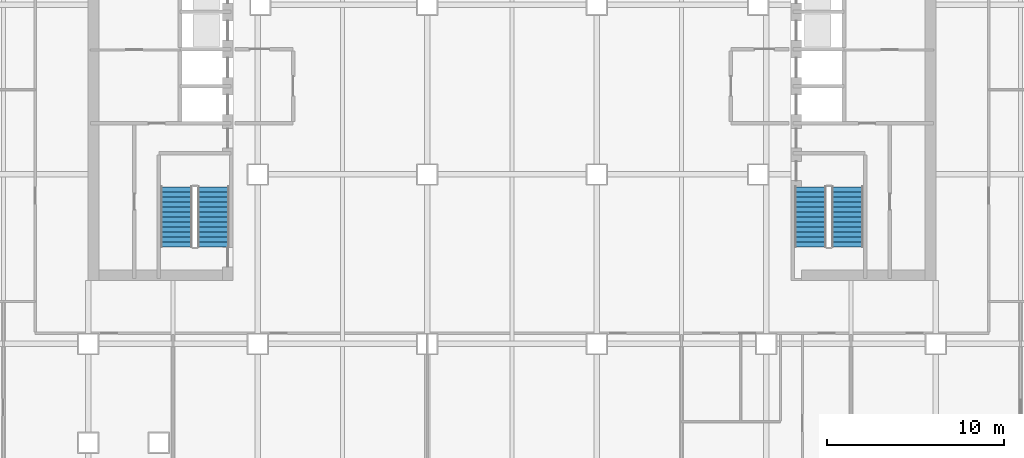
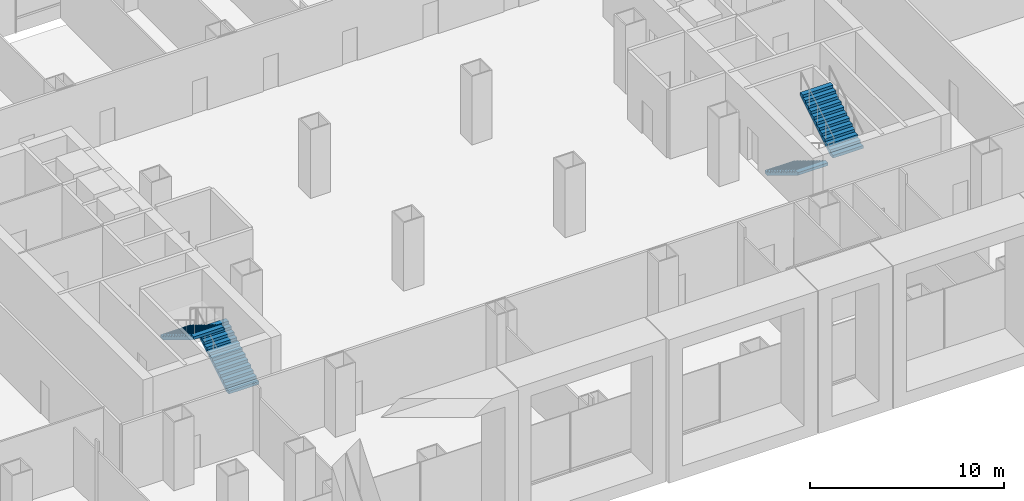
# One storey, part 19 of 23: 4 stair flights, 2 elements without a shape of their own.
"""IFC4 building model written with IfcOpenShell, lengths in metres."""

from ifc_helpers import new_model, si_unit, direction, frame, origin, place, context, subcontext, project, spatial, polyline, outline, extrude, material, type_object, element, aggregate, save


model = new_model("IFC4")

# Units and contexts
model_context = context("Model", 3, precision=1e-05, world=origin(), true_north=direction((0.0, 1.0)))
body_context = subcontext(model_context, "Body", "Model", "MODEL_VIEW")
ifc_project = project(units=[si_unit("LENGTHUNIT", "METRE"), si_unit("AREAUNIT", "SQUARE_METRE"), si_unit("VOLUMEUNIT", "CUBIC_METRE"), si_unit("PLANEANGLEUNIT", "RADIAN"), si_unit("MASSUNIT", "GRAM", prefix="KILO")], contexts=[model_context])

# Site, building, storey
site_placement = place(None, origin())
site = spatial("IfcSite", under=ifc_project, at=site_placement, CompositionType="ELEMENT")
building_placement = place(site_placement, origin())
building = spatial("IfcBuilding", under=site, at=building_placement, Name="Cobrizo Arcos Hotel Tower", CompositionType="ELEMENT")
storey_placement = place(building_placement, frame((0.0, 0.0, 15.5)))
storey = spatial("IfcBuildingStorey", under=building, at=storey_placement, Name="L02", CompositionType="ELEMENT", Elevation=15.5)

# Stair, stair flights
ifc_material = material(Name="Concrete f'c 40 MPa", Category="concrete")
stair_type = type_object("IfcStairType", Name="Exit stair", PredefinedType="HALF_TURN_STAIR", material=ifc_material)
stair_1_placement = place(storey_placement, origin())
stair_1 = element("IfcStair", 1, at=stair_1_placement, inside=storey, type_object=stair_type, Name="L02 Exit stair ST-W", PredefinedType="HALF_TURN_STAIR")
stair_flight_type = type_object("IfcStairFlightType", Name="Exit stair flight", PredefinedType="STRAIGHT", material=ifc_material)
stair_flight_1_placement = place(storey_placement, frame((-16.89990234375, -8.89990234375, 0.0), z_axis=(0.0, 0.0, 1.0), x_axis=(0.0, 1.0, 0.0)))
stair_flight_1 = element("IfcStairFlight", 2, at=stair_flight_1_placement, type_object=stair_flight_type, Name="ST-W flight 1", NumberOfRisers=13, NumberOfTreads=12, PredefinedType="STRAIGHT", RiserHeight=0.173076923, TreadLength=0.283333333, context=body_context, shape_type="SweptSolid", body=[
    extrude(outline(polyline([(0.0, 0.0), (0.0, 0.173095703125), (0.283447265625, 0.173095703125), (0.283447265625, 0.34619140625), (0.566650390625, 0.34619140625), (0.566650390625, 0.519287109375), (0.85009765625, 0.519287109375), (0.85009765625, 0.6923828125), (1.13330078125, 0.6923828125), (1.13330078125, 0.865478515625), (1.416748046875, 0.865478515625), (1.416748046875, 1.03857421875), (1.699951171875, 1.03857421875), (1.699951171875, 1.21142578125), (1.9833984375, 1.21142578125), (1.9833984375, 1.384521484375), (2.2666015625, 1.384521484375), (2.2666015625, 1.5576171875), (2.550048828125, 1.5576171875), (2.550048828125, 1.730712890625), (2.833251953125, 1.730712890625), (2.833251953125, 1.90380859375), (3.11669921875, 1.90380859375), (3.11669921875, 2.076904296875), (3.39990234375, 2.076904296875), (3.39990234375, 2.25), (3.39990234375, 1.9013671875), (0.28759765625, 0.0), (0.0, 0.0)])), frame((0.0, 0.89990234375, 0.0), z_axis=(0.0, -1.0, 0.0), x_axis=(1.0, 0.0, 0.0)), (0.0, 0.0, 1.0), 1.800048828125),
])
stair_flight_2_placement = place(storey_placement, frame((-19.0, -5.5, 2.25), z_axis=(0.0, 0.0, 1.0), x_axis=(0.0, -1.0, 0.0)))
stair_flight_2 = element("IfcStairFlight", 3, at=stair_flight_2_placement, type_object=stair_flight_type, Name="ST-W flight 2", NumberOfRisers=13, NumberOfTreads=12, PredefinedType="STRAIGHT", RiserHeight=0.173076923, TreadLength=0.283333333, context=body_context, shape_type="SweptSolid", body=[
    extrude(outline(polyline([(0.0, 0.0), (0.0, 0.173095703125), (0.283447265625, 0.173095703125), (0.283447265625, 0.34619140625), (0.566650390625, 0.34619140625), (0.566650390625, 0.519287109375), (0.85009765625, 0.519287109375), (0.85009765625, 0.6923828125), (1.13330078125, 0.6923828125), (1.13330078125, 0.865478515625), (1.416748046875, 0.865478515625), (1.416748046875, 1.03857421875), (1.699951171875, 1.03857421875), (1.699951171875, 1.21142578125), (1.9833984375, 1.21142578125), (1.9833984375, 1.384521484375), (2.2666015625, 1.384521484375), (2.2666015625, 1.5576171875), (2.550048828125, 1.5576171875), (2.550048828125, 1.730712890625), (2.833251953125, 1.730712890625), (2.833251953125, 1.90380859375), (3.11669921875, 1.90380859375), (3.11669921875, 2.076904296875), (3.39990234375, 2.076904296875), (3.39990234375, 2.25), (3.39990234375, 1.9013671875), (0.28759765625, 0.0), (0.0, 0.0)])), frame((0.0, 0.89990234375, 0.0), z_axis=(0.0, -1.0, 0.0), x_axis=(1.0, 0.0, 0.0)), (0.0, 0.0, 1.0), 1.800048828125),
])
aggregate(stair_1, [stair_flight_1, stair_flight_2])

stair_2_placement = place(storey_placement, origin())
stair_2 = element("IfcStair", 4, at=stair_2_placement, inside=storey, type_object=stair_type, Name="L02 Exit stair ST-E", PredefinedType="HALF_TURN_STAIR")
stair_flight_3_placement = place(storey_placement, frame((16.89990234375, -5.5, 0.0), z_axis=(0.0, 0.0, 1.0), x_axis=(0.0, -1.0, 0.0)))
stair_flight_3 = element("IfcStairFlight", 5, at=stair_flight_3_placement, type_object=stair_flight_type, Name="ST-E flight 1", NumberOfRisers=13, NumberOfTreads=12, PredefinedType="STRAIGHT", RiserHeight=0.173076923, TreadLength=0.283333333, context=body_context, shape_type="SweptSolid", body=[
    extrude(outline(polyline([(0.0, 0.0), (0.0, 0.173095703125), (0.283447265625, 0.173095703125), (0.283447265625, 0.34619140625), (0.566650390625, 0.34619140625), (0.566650390625, 0.519287109375), (0.85009765625, 0.519287109375), (0.85009765625, 0.6923828125), (1.13330078125, 0.6923828125), (1.13330078125, 0.865478515625), (1.416748046875, 0.865478515625), (1.416748046875, 1.03857421875), (1.699951171875, 1.03857421875), (1.699951171875, 1.21142578125), (1.9833984375, 1.21142578125), (1.9833984375, 1.384521484375), (2.2666015625, 1.384521484375), (2.2666015625, 1.5576171875), (2.550048828125, 1.5576171875), (2.550048828125, 1.730712890625), (2.833251953125, 1.730712890625), (2.833251953125, 1.90380859375), (3.11669921875, 1.90380859375), (3.11669921875, 2.076904296875), (3.39990234375, 2.076904296875), (3.39990234375, 2.25), (3.39990234375, 1.9013671875), (0.28759765625, 0.0), (0.0, 0.0)])), frame((0.0, 0.89990234375, 0.0), z_axis=(0.0, -1.0, 0.0), x_axis=(1.0, 0.0, 0.0)), (0.0, 0.0, 1.0), 1.800048828125),
])
stair_flight_4_placement = place(storey_placement, frame((19.0, -8.89990234375, 2.25), z_axis=(0.0, 0.0, 1.0), x_axis=(0.0, 1.0, 0.0)))
stair_flight_4 = element("IfcStairFlight", 6, at=stair_flight_4_placement, type_object=stair_flight_type, Name="ST-E flight 2", NumberOfRisers=13, NumberOfTreads=12, PredefinedType="STRAIGHT", RiserHeight=0.173076923, TreadLength=0.283333333, context=body_context, shape_type="SweptSolid", body=[
    extrude(outline(polyline([(0.0, 0.0), (0.0, 0.173095703125), (0.283447265625, 0.173095703125), (0.283447265625, 0.34619140625), (0.566650390625, 0.34619140625), (0.566650390625, 0.519287109375), (0.85009765625, 0.519287109375), (0.85009765625, 0.6923828125), (1.13330078125, 0.6923828125), (1.13330078125, 0.865478515625), (1.416748046875, 0.865478515625), (1.416748046875, 1.03857421875), (1.699951171875, 1.03857421875), (1.699951171875, 1.21142578125), (1.9833984375, 1.21142578125), (1.9833984375, 1.384521484375), (2.2666015625, 1.384521484375), (2.2666015625, 1.5576171875), (2.550048828125, 1.5576171875), (2.550048828125, 1.730712890625), (2.833251953125, 1.730712890625), (2.833251953125, 1.90380859375), (3.11669921875, 1.90380859375), (3.11669921875, 2.076904296875), (3.39990234375, 2.076904296875), (3.39990234375, 2.25), (3.39990234375, 1.9013671875), (0.28759765625, 0.0), (0.0, 0.0)])), frame((0.0, 0.89990234375, 0.0), z_axis=(0.0, -1.0, 0.0), x_axis=(1.0, 0.0, 0.0)), (0.0, 0.0, 1.0), 1.800048828125),
])
aggregate(stair_2, [stair_flight_3, stair_flight_4])

save(model, "model.ifc")
